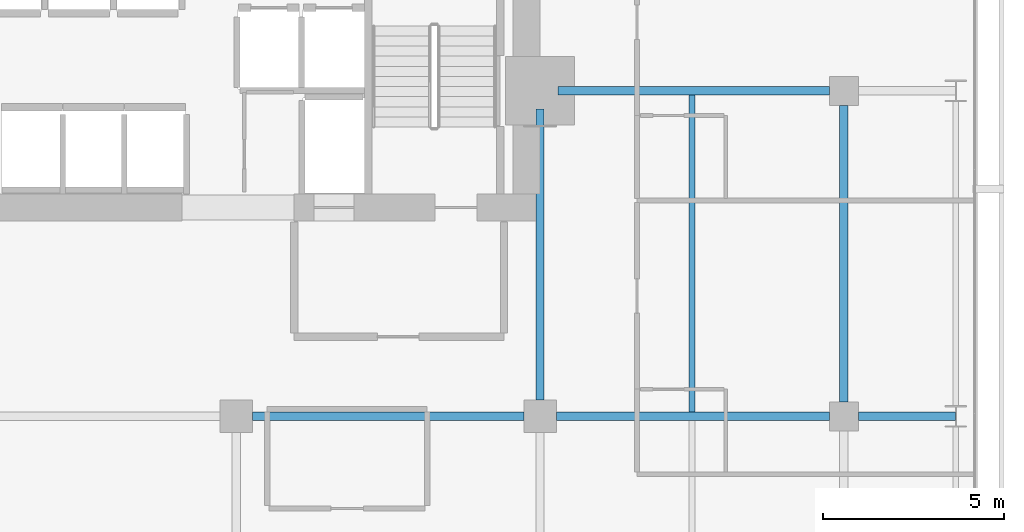
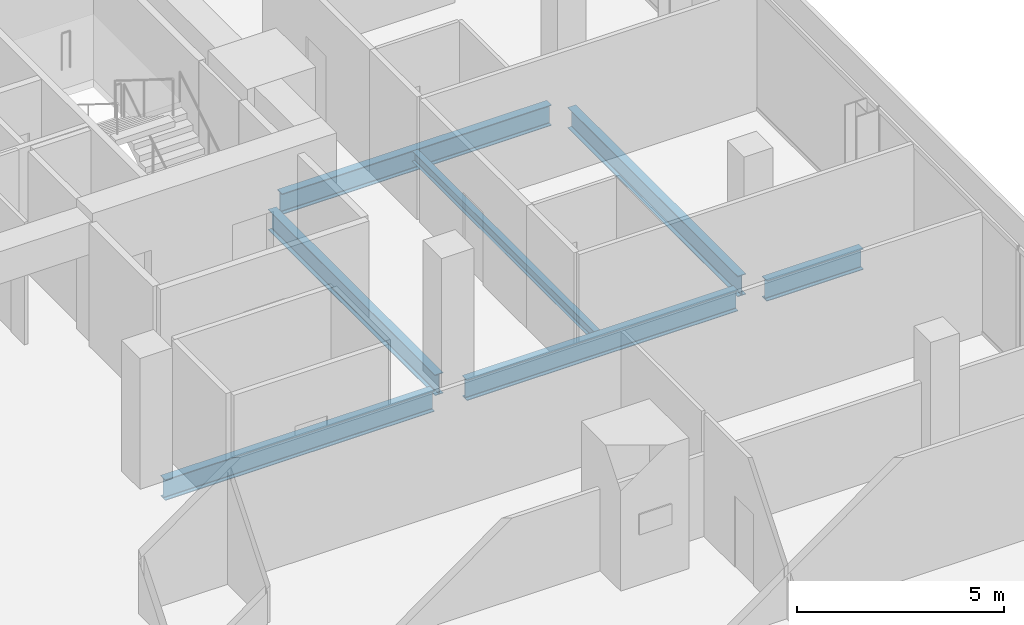
# One storey, part 23 of 34: 7 beams.
"""IFC4 building model written with IfcOpenShell, lengths in metres."""

from ifc_helpers import new_model, si_unit, direction, frame, origin, origin_2d, place, context, subcontext, project, spatial, i_section, extrude, material, material_profile, profile_set, type_object, element, save


model = new_model("IFC4")

# Units and contexts
model_context = context("Model", 3, precision=1e-05, world=origin(), true_north=direction((0.0, 1.0)))
body_context = subcontext(model_context, "Body", "Model", "MODEL_VIEW")
ifc_project = project(units=[si_unit("LENGTHUNIT", "METRE"), si_unit("AREAUNIT", "SQUARE_METRE"), si_unit("VOLUMEUNIT", "CUBIC_METRE"), si_unit("PLANEANGLEUNIT", "RADIAN"), si_unit("MASSUNIT", "GRAM", prefix="KILO")], contexts=[model_context])

# Site, building, storey
site_placement = place(None, origin())
site = spatial("IfcSite", under=ifc_project, at=site_placement, CompositionType="ELEMENT")
building_placement = place(site_placement, origin())
building = spatial("IfcBuilding", under=site, at=building_placement, Name="Maruvema Waterfront Hotel and Observation Tower", CompositionType="ELEMENT")
storey_placement = place(building_placement, frame((0.0, 0.0, 131.25)))
storey = spatial("IfcBuildingStorey", under=building, at=storey_placement, Name="L31", CompositionType="ELEMENT", Elevation=131.25)

# Beams
ifc_material_1 = material(Name="Steel ASTM A572 Grade 50", Category="steel")
ifc_material_profile_1 = material_profile(ifc_material_1, i_section(OverallWidth=0.22900390625, OverallDepth=0.612060546875, WebThickness=0.011962890625, FlangeThickness=0.01953125, FilletRadius=0.01806640625, at=origin_2d()), Name="W610x125.0")
ifc_profile_set_1 = profile_set([ifc_material_profile_1], Name="Steel ASTM A572 Grade 50")
beam_type_1 = type_object("IfcBeamType", Name="Primary Floor Girder W610x125.0", PredefinedType="BEAM", material=ifc_profile_set_1)
beam_1_placement = place(storey_placement, frame((42.449951171875, 36.0, -0.5458984375), z_axis=(1.0, 0.0, 0.0), x_axis=(0.0, 1.0, 0.0)))
element("IfcBeam", 1, at=beam_1_placement, inside=storey, type_object=beam_type_1, Name="L31 Floor Girder EW-27", PredefinedType="BEAM", context=body_context, shape_type="SweptSolid", body=[
    extrude(i_section(OverallWidth=0.22900390625, OverallDepth=0.612060546875, WebThickness=0.011962890625, FlangeThickness=0.01953125, FilletRadius=0.01806640625, at=origin_2d()), origin(), (0.0, 0.0, 1.0), 7.5),
])
beam_2_placement = place(storey_placement, frame((50.85009765625, 36.0, -0.5458984375), z_axis=(1.0, 0.0, 0.0), x_axis=(0.0, 1.0, 0.0)))
element("IfcBeam", 2, at=beam_2_placement, inside=storey, type_object=beam_type_1, Name="L31 Floor Girder EW-28", PredefinedType="BEAM", context=body_context, shape_type="SweptSolid", body=[
    extrude(i_section(OverallWidth=0.22900390625, OverallDepth=0.612060546875, WebThickness=0.011962890625, FlangeThickness=0.01953125, FilletRadius=0.01806640625, at=origin_2d()), origin(), (0.0, 0.0, 1.0), 7.5498046875),
])
beam_3_placement = place(storey_placement, frame((59.199951171875, 36.0, -0.5458984375), z_axis=(1.0, 0.0, 0.0), x_axis=(0.0, 1.0, 0.0)))
element("IfcBeam", 3, at=beam_3_placement, inside=storey, type_object=beam_type_1, Name="L31 Floor Girder EW-29", PredefinedType="BEAM", context=body_context, shape_type="SweptSolid", body=[
    extrude(i_section(OverallWidth=0.22900390625, OverallDepth=0.612060546875, WebThickness=0.011962890625, FlangeThickness=0.01953125, FilletRadius=0.01806640625, at=origin_2d()), origin(), (0.0, 0.0, 1.0), 2.6875),
])
beam_4_placement = place(storey_placement, frame((50.89990234375, 45.0, -0.5458984375), z_axis=(1.0, 0.0, 0.0), x_axis=(0.0, 1.0, 0.0)))
element("IfcBeam", 4, at=beam_4_placement, inside=storey, type_object=beam_type_1, Name="L31 Floor Girder EW-32", PredefinedType="BEAM", context=body_context, shape_type="SweptSolid", body=[
    extrude(i_section(OverallWidth=0.22900390625, OverallDepth=0.612060546875, WebThickness=0.011962890625, FlangeThickness=0.01953125, FilletRadius=0.01806640625, at=origin_2d()), origin(), (0.0, 0.0, 1.0), 7.5),
])
beam_5_placement = place(storey_placement, frame((50.39990234375, 36.449951171875, -0.5458984375), z_axis=(0.0, 1.0, 0.0), x_axis=(-1.0, 0.0, 0.0)))
element("IfcBeam", 5, at=beam_5_placement, inside=storey, type_object=beam_type_1, Name="L31 Floor Girder NS-24", PredefinedType="BEAM", context=body_context, shape_type="SweptSolid", body=[
    extrude(i_section(OverallWidth=0.22900390625, OverallDepth=0.612060546875, WebThickness=0.011962890625, FlangeThickness=0.01953125, FilletRadius=0.01806640625, at=origin_2d()), origin(), (0.0, 0.0, 1.0), 8.050048828125),
])
beam_6_placement = place(storey_placement, frame((58.800048828125, 36.39990234375, -0.5458984375), z_axis=(0.0, 1.0, 0.0), x_axis=(-1.0, 0.0, 0.0)))
element("IfcBeam", 6, at=beam_6_placement, inside=storey, type_object=beam_type_1, Name="L31 Floor Girder NS-28", PredefinedType="BEAM", context=body_context, shape_type="SweptSolid", body=[
    extrude(i_section(OverallWidth=0.22900390625, OverallDepth=0.612060546875, WebThickness=0.011962890625, FlangeThickness=0.01953125, FilletRadius=0.01806640625, at=origin_2d()), origin(), (0.0, 0.0, 1.0), 8.2001953125),
])
ifc_material_2 = material(Name="Steel ASTM A572 Grade 50", Category="steel")
ifc_material_profile_2 = material_profile(ifc_material_2, i_section(OverallWidth=0.1650390625, OverallDepth=0.31005859375, WebThickness=0.005859375, FlangeThickness=0.009765625, FilletRadius=0.012939453125, at=origin_2d()), Name="W310x38.7")
ifc_profile_set_2 = profile_set([ifc_material_profile_2], Name="Steel ASTM A572 Grade 50")
beam_type_2 = type_object("IfcBeamType", Name="Secondary Floor Joist W310x38.7", PredefinedType="JOIST", material=ifc_profile_set_2)
beam_7_placement = place(storey_placement, frame((54.60009765625, 36.114501953125, -0.39501953125), z_axis=(0.0, 1.0, 0.0), x_axis=(-1.0, 0.0, 0.0)))
element("IfcBeam", 7, at=beam_7_placement, inside=storey, type_object=beam_type_2, Name="L31 Secondary Floor Joist JS-14", PredefinedType="JOIST", context=body_context, shape_type="SweptSolid", body=[
    extrude(i_section(OverallWidth=0.1650390625, OverallDepth=0.31005859375, WebThickness=0.005859375, FlangeThickness=0.009765625, FilletRadius=0.012939453125, at=origin_2d()), origin(), (0.0, 0.0, 1.0), 8.77099609375),
])

save(model, "model.ifc")
